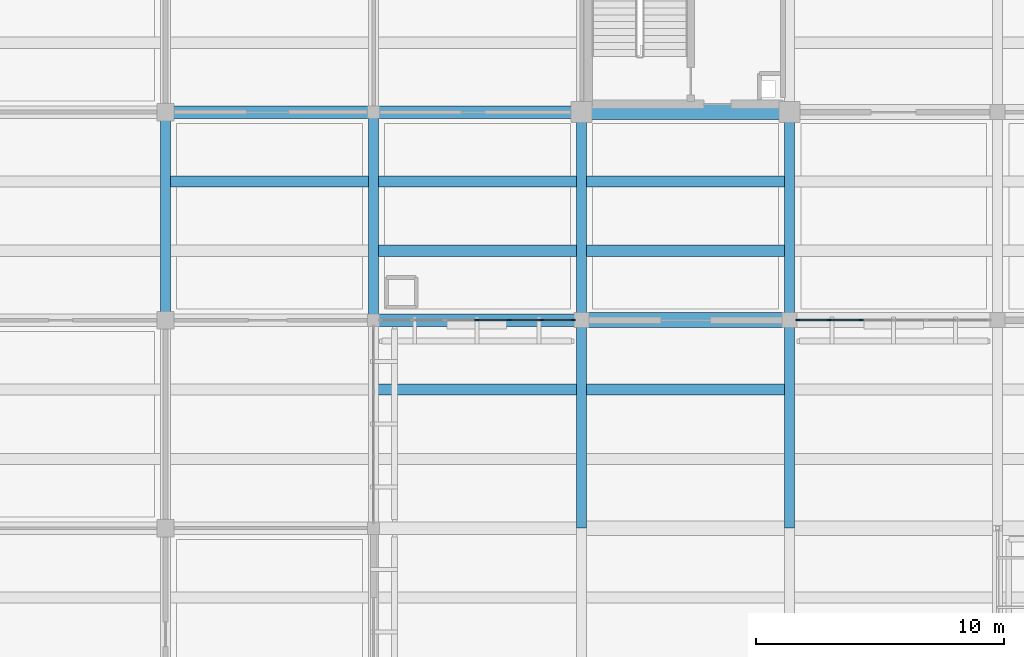
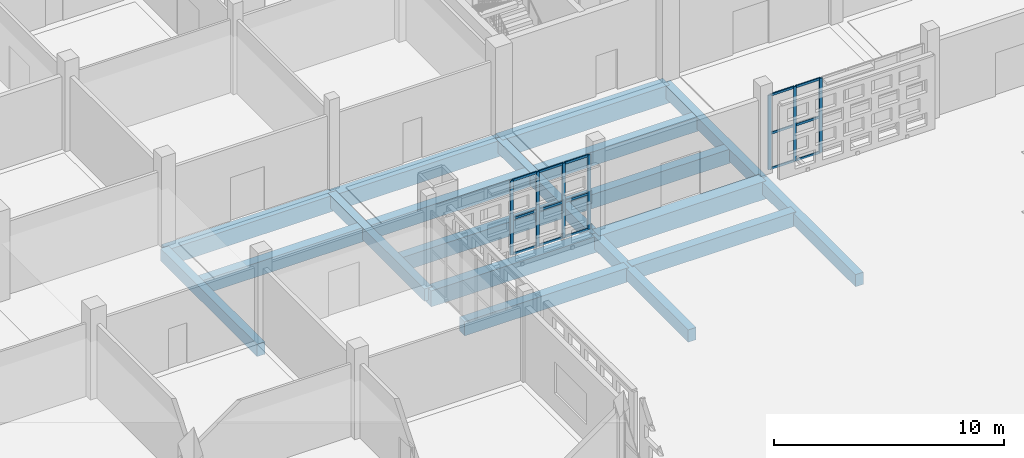
# One storey, part 22 of 129: 22 members, 18 beams, 2 elements without a shape of their own.
"""IFC4 building model written with IfcOpenShell, lengths in metres."""

import ifcopenshell
import ifcopenshell.guid

model = None  # the IFC model being written
_history = None  # IfcOwnerHistory: only IFC2X3 demands one
_inside = {}  # id of a spatial element -> (the spatial element, [elements in it])
_under = {}  # id of a project, library or spatial element -> (it, [spatial elements below it])
_declared = {}  # id of a project -> (the project, [libraries it declares])
_typed = {}  # id of a type object -> (the type object, [elements of that type])
_made_of = {}  # id of a material, layer set ... -> (it, [elements and type objects made of it])


def new_model(schema):
    """Start an empty IFC model of exactly this schema.

    Asked for "IFC4X3", IfcOpenShell would pick the latest addendum, in which some entities
    have other attributes; the version numbers below select the first issue.
    IFC2X3 requires an IfcOwnerHistory on every rooted entity: one is made here for all.
    """
    global model, _history
    if schema == "IFC4X3":
        model = ifcopenshell.file(schema_version=(4, 3, 0, 0))
    else:
        model = ifcopenshell.file(schema=schema)
    _inside.clear()
    _under.clear()
    _declared.clear()
    _typed.clear()
    _made_of.clear()
    _history = None
    if model.schema == "IFC2X3":
        org = make("IfcOrganization", Name="unknown")
        user = make(
            "IfcPersonAndOrganization",
            ThePerson=make("IfcPerson", FamilyName="unknown"),
            TheOrganization=org,
        )
        app = make(
            "IfcApplication",
            ApplicationDeveloper=org,
            Version="unknown",
            ApplicationFullName="unknown",
            ApplicationIdentifier="unknown",
        )
        _history = make(
            "IfcOwnerHistory",
            OwningUser=user,
            OwningApplication=app,
            ChangeAction="ADDED",
            CreationDate=0,
        )
    return model


def make(cls, **values):
    """One entity of the class cls with the attributes given. An attribute that is None is left unset."""
    return model.create_entity(
        cls, **{name: value for name, value in values.items() if value is not None}
    )


def rooted(cls, **values):
    """An entity with a GlobalId (a new one), such as an element, a storey or a relation."""
    return make(cls, GlobalId=ifcopenshell.guid.new(), OwnerHistory=_history, **values)


def si_unit(unit_type, name, prefix=None):
    """IfcSIUnit, for example si_unit("LENGTHUNIT", "METRE", prefix="MILLI")."""
    return make("IfcSIUnit", UnitType=unit_type, Prefix=prefix, Name=name)


def assignment(units):
    """IfcUnitAssignment: the units of a project."""
    return None if units is None else make("IfcUnitAssignment", Units=units)


def point(xyz):
    """IfcCartesianPoint."""
    return None if xyz is None else make("IfcCartesianPoint", Coordinates=xyz)


def direction(xyz):
    """IfcDirection."""
    return None if xyz is None else make("IfcDirection", DirectionRatios=xyz)


def frame(location, z_axis=None, x_axis=None):
    """IfcAxis2Placement3D, a coordinate frame: its origin and axes. An axis left out is left unset."""
    return make(
        "IfcAxis2Placement3D",
        Location=point(location),
        Axis=direction(z_axis),
        RefDirection=direction(x_axis),
    )


def frame_2d(location, x_axis=None):
    """IfcAxis2Placement2D, a coordinate frame in the plane: its origin and x axis."""
    return make(
        "IfcAxis2Placement2D", Location=point(location), RefDirection=direction(x_axis)
    )


def origin():
    """The frame at (0, 0, 0) with its axes left unset."""
    return frame((0.0, 0.0, 0.0))


def origin_2d():
    """The frame at (0, 0) in the plane with its x axis left unset."""
    return frame_2d((0.0, 0.0))


def place(relative_to, where):
    """IfcLocalPlacement: puts the frame where relative to a parent placement (None: the world)."""
    return make(
        "IfcLocalPlacement", PlacementRelTo=relative_to, RelativePlacement=where
    )


def context(
    kind, dimensions, precision=None, world=None, true_north=None, identifier=None
):
    """IfcGeometricRepresentationContext, for example the 3D "Model" context."""
    return make(
        "IfcGeometricRepresentationContext",
        ContextIdentifier=identifier,
        ContextType=kind,
        CoordinateSpaceDimension=dimensions,
        Precision=precision,
        WorldCoordinateSystem=world,
        TrueNorth=true_north,
    )


def subcontext(parent, identifier, kind, view, scale=None):
    """IfcGeometricRepresentationSubContext, for example "Body" below "Model"."""
    return make(
        "IfcGeometricRepresentationSubContext",
        ContextIdentifier=identifier,
        ContextType=kind,
        ParentContext=parent,
        TargetScale=scale,
        TargetView=view,
    )


def project(units=None, contexts=None):
    """IfcProject with its units and contexts."""
    return rooted(
        "IfcProject",
        Name="project",
        RepresentationContexts=contexts,
        UnitsInContext=assignment(units),
    )


def spatial(cls, under=None, at=None, **own):
    """A site, building, storey or space (cls), placed at a placement, below another one or the project."""
    s = rooted(cls, ObjectPlacement=at, **own)
    if under is not None:
        _under.setdefault(under.id(), (under, []))[1].append(s)
    return s


def profile(cls, at=None, kind="AREA", **sizes):
    """A parametric profile (cls). Its sizes go by their IFC names, for example OverallWidth=200.0."""
    return make(cls, ProfileType=kind, Position=at, **sizes)


def rectangle(**sizes):
    """IfcRectangleProfileDef."""
    return profile("IfcRectangleProfileDef", **sizes)


def extrude(swept, where, along, depth):
    """IfcExtrudedAreaSolid: the profile swept, set in the frame where, extruded along a direction by depth."""
    return make(
        "IfcExtrudedAreaSolid",
        SweptArea=swept,
        Position=where,
        ExtrudedDirection=direction(along),
        Depth=depth,
    )


def shape(context_of_items, identifier, shape_type, items):
    """IfcShapeRepresentation: the items that make up one representation, for example the "Body"."""
    return make(
        "IfcShapeRepresentation",
        ContextOfItems=context_of_items,
        RepresentationIdentifier=identifier,
        RepresentationType=shape_type,
        Items=items,
    )


def material(Name=None, Category=None):
    """IfcMaterial."""
    return make("IfcMaterial", Name=Name, Category=Category)


def layer(
    of_material, thickness, ventilated=None, Name=None, Category=None, Priority=None
):
    """IfcMaterialLayer: one layer of a wall or slab, of a material (None: an air gap)."""
    return make(
        "IfcMaterialLayer",
        Material=of_material,
        LayerThickness=thickness,
        IsVentilated=ventilated,
        Name=Name,
        Category=Category,
        Priority=Priority,
    )


def layer_set(layers, Name=None):
    """IfcMaterialLayerSet."""
    return make("IfcMaterialLayerSet", MaterialLayers=layers, LayerSetName=Name)


def material_profile(
    of_material, cross_section, Name=None, Category=None, Priority=None
):
    """IfcMaterialProfile: a cross section and its material."""
    return make(
        "IfcMaterialProfile",
        Name=Name,
        Material=of_material,
        Profile=cross_section,
        Priority=Priority,
        Category=Category,
    )


def profile_set(profiles, Name=None, composite=None):
    """IfcMaterialProfileSet."""
    return make(
        "IfcMaterialProfileSet",
        Name=Name,
        MaterialProfiles=profiles,
        CompositeProfile=composite,
    )


def made_of(thing, what):
    """Note that an element or type object is made of a material, layer set ...; save() writes the relation."""
    if what is not None:
        _made_of.setdefault(what.id(), (what, []))[1].append(thing)
    return thing


def type_object(cls, material=None, **own):
    """A type object (cls), such as IfcWallType, which elements share."""
    return made_of(rooted(cls, **own), material)


def element(
    cls,
    number,
    at=None,
    inside=None,
    cuts=None,
    type_object=None,
    material=None,
    context=None,
    identifier="Body",
    shape_type=None,
    held_by="IfcProductDefinitionShape",
    body=None,
    shapes=None,
    **own,
):
    """One element of the class cls, such as IfcWall. Its Tag is "e" and its number.

    at: its placement. inside: the storey or other place that contains it. cuts: it is an
    opening in that element (IfcRelVoidsElement). A single representation is given by context,
    identifier, shape_type and body (its items); several are given by shapes. held_by: the class
    of the entity that holds the representations. save() writes the other relations.
    """
    e = rooted(cls, Tag="e%d" % number, ObjectPlacement=at, **own)
    if body is not None:
        shapes = [shape(context, identifier, shape_type, body)]
    if shapes is not None:
        e.Representation = make(held_by, Representations=shapes)
    if inside is not None:
        _inside.setdefault(inside.id(), (inside, []))[1].append(e)
    if cuts is not None:
        rooted(
            "IfcRelVoidsElement", RelatingBuildingElement=cuts, RelatedOpeningElement=e
        )
    if type_object is not None:
        _typed.setdefault(type_object.id(), (type_object, []))[1].append(e)
    return made_of(e, material)


def aggregate(whole, parts):
    """IfcRelAggregates: a whole, such as a stair, and the parts it consists of."""
    return rooted("IfcRelAggregates", RelatingObject=whole, RelatedObjects=parts)


def save(model, path):
    """Write the relations noted so far, then the file.

    IfcRelAggregates (storeys below a building ...), IfcRelContainedInSpatialStructure (elements
    in a storey), IfcRelDefinesByType, IfcRelAssociatesMaterial and IfcRelDeclares: one each for
    every whole, place, type object, material and project.
    """
    for whole, parts in _under.values():
        aggregate(whole, parts)
    for where, things in _inside.values():
        rooted(
            "IfcRelContainedInSpatialStructure",
            RelatedElements=things,
            RelatingStructure=where,
        )
    for kind, things in _typed.values():
        rooted("IfcRelDefinesByType", RelatedObjects=things, RelatingType=kind)
    for what, things in _made_of.values():
        rooted("IfcRelAssociatesMaterial", RelatedObjects=things, RelatingMaterial=what)
    for by, libraries in _declared.values():
        rooted("IfcRelDeclares", RelatingContext=by, RelatedDefinitions=libraries)
    model.write(path)


model = new_model("IFC4")

# Units and contexts
model_context = context("Model", 3, precision=1e-05, world=origin(), true_north=direction((0.0, 1.0)))
body_context = subcontext(model_context, "Body", "Model", "MODEL_VIEW")
ifc_project = project(units=[si_unit("LENGTHUNIT", "METRE"), si_unit("AREAUNIT", "SQUARE_METRE"), si_unit("VOLUMEUNIT", "CUBIC_METRE"), si_unit("PLANEANGLEUNIT", "RADIAN"), si_unit("MASSUNIT", "GRAM", prefix="KILO")], contexts=[model_context])

# Site, building, storey
site_placement = place(None, origin())
site = spatial("IfcSite", under=ifc_project, at=site_placement, CompositionType="ELEMENT")
building_placement = place(site_placement, origin())
building = spatial("IfcBuilding", under=site, at=building_placement, Name="Varnapada Polytechnic", CompositionType="ELEMENT")
storey_placement = place(building_placement, origin())
storey = spatial("IfcBuildingStorey", under=building, at=storey_placement, Name="L00", CompositionType="ELEMENT", Elevation=0.0)

# Beams
ifc_material_1 = material(Name="Concrete C40/50", Category="concrete")
ifc_material_profile_1 = material_profile(ifc_material_1, rectangle(XDim=0.449951171875, YDim=0.75, at=origin_2d()), Name="RC 450x750")
ifc_profile_set_1 = profile_set([ifc_material_profile_1], Name="Concrete C40/50")
beam_type_1 = type_object("IfcBeamType", Name="Basement/podium secondary beam BB-01 (RC 450x750)", PredefinedType="BEAM", material=ifc_profile_set_1)
for number, where, z_axis, x_axis, name in (
    (1, (33.679931640625, 89.60009765625, -0.675048828125), (1.0, 0.0, 0.0), (0.0, 1.0, 0.0), "L00 floor joist 5/11.2"),
    (2, (42.080078125, 81.199951171875, -0.675048828125), (1.0, 0.0, 0.0), (0.0, 1.0, 0.0), "L00 floor joist 6/10.2"),
    (3, (42.080078125, 86.800048828125, -0.695068359375), (1.0, 0.0, 0.0), (0.0, 1.0, 0.0), "L00 floor joist 6/11.1"),
    (4, (42.080078125, 89.60009765625, -0.695068359375), (1.0, 0.0, 0.0), (0.0, 1.0, 0.0), "L00 floor joist 6/11.2"),
    (5, (50.47998046875, 81.199951171875, -0.655029296875), (1.0, 0.0, 0.0), (0.0, 1.0, 0.0), "L00 floor joist 7/10.2"),
    (6, (50.47998046875, 86.800048828125, -0.695068359375), (1.0, 0.0, 0.0), (0.0, 1.0, 0.0), "L00 floor joist 7/11.1"),
    (7, (50.47998046875, 89.60009765625, -0.695068359375), (1.0, 0.0, 0.0), (0.0, 1.0, 0.0), "L00 floor joist 7/11.2"),
):
    element("IfcBeam", number, at=place(storey_placement, frame(where, z_axis=z_axis, x_axis=x_axis)), inside=storey, type_object=beam_type_1, Name=name, PredefinedType="BEAM", context=body_context, shape_type="SweptSolid", body=[
        extrude(rectangle(XDim=0.449951171875, YDim=0.75, at=origin_2d()), origin(), (0.0, 0.0, 1.0), 8.239990234375),
    ])

# Curtain wall, members
ifc_material_2 = material(Name="Double low-E laminated glass", Category="glass")
ifc_layer = layer(ifc_material_2, 0.159912109375)
ifc_layer_set = layer_set([ifc_layer], Name="Double low-E laminated glass")
curtain_wall_type = type_object("IfcCurtainWallType", Name="Curtain Wall CW-01", PredefinedType="NOTDEFINED", material=ifc_layer_set)
curtain_wall_1_placement = place(storey_placement, origin())
curtain_wall_1 = element("IfcCurtainWall", 8, at=curtain_wall_1_placement, inside=storey, type_object=curtain_wall_type, Name="L00 unitised curtain wall CW-01 (5)", PredefinedType="NOTDEFINED")
ifc_material_3 = material(Name="Anodised aluminium", Category="aluminium")
ifc_material_profile_2 = material_profile(ifc_material_3, rectangle(XDim=0.06005859375, YDim=0.159912109375, at=origin_2d()), Name="ALU M60x160")
ifc_profile_set_2 = profile_set([ifc_material_profile_2], Name="Anodised aluminium")
member_type_1 = type_object("IfcMemberType", Name="Mullion M-01", PredefinedType="MULLION", material=ifc_profile_set_2)
member_1_placement = place(storey_placement, frame((50.070068359375, 84.0, 0.0), z_axis=(0.0, 0.0, 1.0), x_axis=(0.0, -1.0, 0.0)))
member_1 = element("IfcMember", 9, at=member_1_placement, type_object=member_type_1, Name="CW-01 mullion 1", PredefinedType="MULLION", context=body_context, shape_type="SweptSolid", body=[
    extrude(rectangle(XDim=0.06005859375, YDim=0.159912109375, at=origin_2d()), origin(), (0.0, 0.0, 1.0), 3.9599609375),
])
member_2_placement = place(storey_placement, frame((48.791748046875, 84.0, 0.0), z_axis=(0.0, 0.0, 1.0), x_axis=(0.0, -1.0, 0.0)))
member_2 = element("IfcMember", 10, at=member_2_placement, type_object=member_type_1, Name="CW-01 mullion 2", PredefinedType="MULLION", context=body_context, shape_type="SweptSolid", body=[
    extrude(rectangle(XDim=0.06005859375, YDim=0.159912109375, at=origin_2d()), origin(), (0.0, 0.0, 1.0), 3.9599609375),
])
member_3_placement = place(storey_placement, frame((47.4833984375, 84.0, 0.0), z_axis=(0.0, 0.0, 1.0), x_axis=(0.0, -1.0, 0.0)))
member_3 = element("IfcMember", 11, at=member_3_placement, type_object=member_type_1, Name="CW-01 mullion 3", PredefinedType="MULLION", context=body_context, shape_type="SweptSolid", body=[
    extrude(rectangle(XDim=0.06005859375, YDim=0.159912109375, at=origin_2d()), origin(), (0.0, 0.0, 1.0), 3.9599609375),
])
member_4_placement = place(storey_placement, frame((46.175048828125, 84.0, 0.0), z_axis=(0.0, 0.0, 1.0), x_axis=(0.0, -1.0, 0.0)))
member_4 = element("IfcMember", 12, at=member_4_placement, type_object=member_type_1, Name="CW-01 mullion 4", PredefinedType="MULLION", context=body_context, shape_type="SweptSolid", body=[
    extrude(rectangle(XDim=0.06005859375, YDim=0.159912109375, at=origin_2d()), origin(), (0.0, 0.0, 1.0), 3.9599609375),
])

curtain_wall_2_placement = place(storey_placement, origin())
curtain_wall_2 = element("IfcCurtainWall", 13, at=curtain_wall_2_placement, inside=storey, type_object=curtain_wall_type, Name="L00 unitised curtain wall CW-01 (7)", PredefinedType="NOTDEFINED")
member_5_placement = place(storey_placement, frame((61.699951171875, 84.0, 0.0), z_axis=(0.0, 0.0, 1.0), x_axis=(0.0, -1.0, 0.0)))
member_5 = element("IfcMember", 14, at=member_5_placement, type_object=member_type_1, Name="CW-01 mullion 5", PredefinedType="MULLION", context=body_context, shape_type="SweptSolid", body=[
    extrude(rectangle(XDim=0.06005859375, YDim=0.159912109375, at=origin_2d()), origin(), (0.0, 0.0, 1.0), 3.9599609375),
])
member_6_placement = place(storey_placement, frame((60.39990234375, 84.0, 0.0), z_axis=(0.0, 0.0, 1.0), x_axis=(0.0, -1.0, 0.0)))
member_6 = element("IfcMember", 15, at=member_6_placement, type_object=member_type_1, Name="CW-01 mullion 6", PredefinedType="MULLION", context=body_context, shape_type="SweptSolid", body=[
    extrude(rectangle(XDim=0.06005859375, YDim=0.159912109375, at=origin_2d()), origin(), (0.0, 0.0, 1.0), 3.9599609375),
])
member_7_placement = place(storey_placement, frame((59.1298828125, 84.0, 0.0), z_axis=(0.0, 0.0, 1.0), x_axis=(0.0, -1.0, 0.0)))
member_7 = element("IfcMember", 16, at=member_7_placement, type_object=member_type_1, Name="CW-01 mullion 7", PredefinedType="MULLION", context=body_context, shape_type="SweptSolid", body=[
    extrude(rectangle(XDim=0.06005859375, YDim=0.159912109375, at=origin_2d()), origin(), (0.0, 0.0, 1.0), 3.9599609375),
])

# Beams
ifc_material_profile_3 = material_profile(ifc_material_1, rectangle(XDim=0.39990234375, YDim=0.64990234375, at=origin_2d()), Name="RC 400x650")
ifc_profile_set_3 = profile_set([ifc_material_profile_3], Name="Concrete C40/50")
beam_type_2 = type_object("IfcBeamType", Name="Podium framing beam BB-02 (RC 400x650)", PredefinedType="BEAM", material=ifc_profile_set_3)
for number, where, z_axis, x_axis, name in (
    (17, (33.60009765625, 84.0, -0.625), (0.0, 1.0, 0.0), (-1.0, 0.0, 0.0), "L00 beam Y 11-12 at X5"),
    (18, (42.0, 84.0, -0.625), (0.0, 1.0, 0.0), (-1.0, 0.0, 0.0), "L00 beam Y 11-12 at X6"),
    (19, (50.39990234375, 75.60009765625, -0.64501953125), (0.0, 1.0, 0.0), (-1.0, 0.0, 0.0), "L00 beam Y 10-11 at X7"),
    (20, (50.39990234375, 84.0, -0.64501953125), (0.0, 1.0, 0.0), (-1.0, 0.0, 0.0), "L00 beam Y 11-12 at X7"),
    (21, (58.800048828125, 75.60009765625, -0.64501953125), (0.0, 1.0, 0.0), (-1.0, 0.0, 0.0), "L00 beam Y 10-11 at X8"),
    (22, (58.800048828125, 84.0, -0.64501953125), (0.0, 1.0, 0.0), (-1.0, 0.0, 0.0), "L00 beam Y 11-12 at X8"),
):
    element("IfcBeam", number, at=place(storey_placement, frame(where, z_axis=z_axis, x_axis=x_axis)), inside=storey, type_object=beam_type_2, Name=name, PredefinedType="BEAM", context=body_context, shape_type="SweptSolid", body=[
        extrude(rectangle(XDim=0.39990234375, YDim=0.64990234375, at=origin_2d()), origin(), (0.0, 0.0, 1.0), 8.39990234375),
    ])
ifc_material_profile_4 = material_profile(ifc_material_1, rectangle(XDim=0.5, YDim=0.85009765625, at=origin_2d()), Name="RC 500x850")
ifc_profile_set_4 = profile_set([ifc_material_profile_4], Name="Concrete C40/50")
beam_type_3 = type_object("IfcBeamType", Name="Standard podium primary girder BG-02 (RC 500x850)", PredefinedType="T_BEAM", material=ifc_profile_set_4)
for number, where, z_axis, x_axis, name in (
    (23, (33.60009765625, 92.39990234375, -0.72509765625), (1.0, 0.0, 0.0), (0.0, 1.0, 0.0), "L00 beam X 5-6 at Y12"),
    (24, (42.0, 84.0, -0.7451171875), (1.0, 0.0, 0.0), (0.0, 1.0, 0.0), "L00 beam X 6-7 at Y11"),
    (25, (42.0, 92.39990234375, -0.7451171875), (1.0, 0.0, 0.0), (0.0, 1.0, 0.0), "L00 beam X 6-7 at Y12"),
):
    element("IfcBeam", number, at=place(storey_placement, frame(where, z_axis=z_axis, x_axis=x_axis)), inside=storey, type_object=beam_type_3, Name=name, PredefinedType="T_BEAM", context=body_context, shape_type="SweptSolid", body=[
        extrude(rectangle(XDim=0.5, YDim=0.85009765625, at=origin_2d()), origin(), (0.0, 0.0, 1.0), 8.39990234375),
    ])

# Member
ifc_material_profile_5 = material_profile(ifc_material_3, rectangle(XDim=0.06005859375, YDim=0.1201171875, at=origin_2d()), Name="ALU T60x120")
ifc_profile_set_5 = profile_set([ifc_material_profile_5], Name="Anodised aluminium")
member_type_2 = type_object("IfcMemberType", Name="Transom T-01", PredefinedType="USERDEFINED", material=ifc_profile_set_5)
member_8_placement = place(storey_placement, frame((50.0400390625, 84.0, 0.030029296875), z_axis=(-1.0, 0.0, 0.0), x_axis=(0.0, -1.0, 0.0)))
member_8 = element("IfcMember", 26, at=member_8_placement, type_object=member_type_2, Name="CW-01 transom 1.1", ObjectType="TRANSOM", PredefinedType="USERDEFINED", context=body_context, shape_type="SweptSolid", body=[
    extrude(rectangle(XDim=0.06005859375, YDim=0.1201171875, at=origin_2d()), origin(), (0.0, 0.0, 1.0), 1.21826171875),
])

member_9_placement = place(storey_placement, frame((50.0400390625, 84.0, 1.90087890625), z_axis=(-1.0, 0.0, 0.0), x_axis=(0.0, -1.0, 0.0)))
member_9 = element("IfcMember", 27, at=member_9_placement, type_object=member_type_2, Name="CW-01 transom 1.2", ObjectType="TRANSOM", PredefinedType="USERDEFINED", context=body_context, shape_type="SweptSolid", body=[
    extrude(rectangle(XDim=0.06005859375, YDim=0.1201171875, at=origin_2d()), origin(), (0.0, 0.0, 1.0), 1.21826171875),
])

member_10_placement = place(storey_placement, frame((50.0400390625, 84.0, 3.929931640625), z_axis=(-1.0, 0.0, 0.0), x_axis=(0.0, -1.0, 0.0)))
member_10 = element("IfcMember", 28, at=member_10_placement, type_object=member_type_2, Name="CW-01 transom 1.3", ObjectType="TRANSOM", PredefinedType="USERDEFINED", context=body_context, shape_type="SweptSolid", body=[
    extrude(rectangle(XDim=0.06005859375, YDim=0.1201171875, at=origin_2d()), origin(), (0.0, 0.0, 1.0), 1.21826171875),
])

member_11_placement = place(storey_placement, frame((48.76171875, 84.0, 0.030029296875), z_axis=(-1.0, 0.0, 0.0), x_axis=(0.0, -1.0, 0.0)))
member_11 = element("IfcMember", 29, at=member_11_placement, type_object=member_type_2, Name="CW-01 transom 2.1", ObjectType="TRANSOM", PredefinedType="USERDEFINED", context=body_context, shape_type="SweptSolid", body=[
    extrude(rectangle(XDim=0.06005859375, YDim=0.1201171875, at=origin_2d()), origin(), (0.0, 0.0, 1.0), 1.248291015625),
])

member_12_placement = place(storey_placement, frame((48.76171875, 84.0, 1.90087890625), z_axis=(-1.0, 0.0, 0.0), x_axis=(0.0, -1.0, 0.0)))
member_12 = element("IfcMember", 30, at=member_12_placement, type_object=member_type_2, Name="CW-01 transom 2.2", ObjectType="TRANSOM", PredefinedType="USERDEFINED", context=body_context, shape_type="SweptSolid", body=[
    extrude(rectangle(XDim=0.06005859375, YDim=0.1201171875, at=origin_2d()), origin(), (0.0, 0.0, 1.0), 1.248291015625),
])

member_13_placement = place(storey_placement, frame((48.76171875, 84.0, 3.929931640625), z_axis=(-1.0, 0.0, 0.0), x_axis=(0.0, -1.0, 0.0)))
member_13 = element("IfcMember", 31, at=member_13_placement, type_object=member_type_2, Name="CW-01 transom 2.3", ObjectType="TRANSOM", PredefinedType="USERDEFINED", context=body_context, shape_type="SweptSolid", body=[
    extrude(rectangle(XDim=0.06005859375, YDim=0.1201171875, at=origin_2d()), origin(), (0.0, 0.0, 1.0), 1.248291015625),
])

member_14_placement = place(storey_placement, frame((47.453369140625, 84.0, 0.030029296875), z_axis=(-1.0, 0.0, 0.0), x_axis=(0.0, -1.0, 0.0)))
member_14 = element("IfcMember", 32, at=member_14_placement, type_object=member_type_2, Name="CW-01 transom 3.1", ObjectType="TRANSOM", PredefinedType="USERDEFINED", context=body_context, shape_type="SweptSolid", body=[
    extrude(rectangle(XDim=0.06005859375, YDim=0.1201171875, at=origin_2d()), origin(), (0.0, 0.0, 1.0), 1.248291015625),
])

member_15_placement = place(storey_placement, frame((47.453369140625, 84.0, 1.90087890625), z_axis=(-1.0, 0.0, 0.0), x_axis=(0.0, -1.0, 0.0)))
member_15 = element("IfcMember", 33, at=member_15_placement, type_object=member_type_2, Name="CW-01 transom 3.2", ObjectType="TRANSOM", PredefinedType="USERDEFINED", context=body_context, shape_type="SweptSolid", body=[
    extrude(rectangle(XDim=0.06005859375, YDim=0.1201171875, at=origin_2d()), origin(), (0.0, 0.0, 1.0), 1.248291015625),
])

member_16_placement = place(storey_placement, frame((47.453369140625, 84.0, 3.929931640625), z_axis=(-1.0, 0.0, 0.0), x_axis=(0.0, -1.0, 0.0)))
member_16 = element("IfcMember", 34, at=member_16_placement, type_object=member_type_2, Name="CW-01 transom 3.3", ObjectType="TRANSOM", PredefinedType="USERDEFINED", context=body_context, shape_type="SweptSolid", body=[
    extrude(rectangle(XDim=0.06005859375, YDim=0.1201171875, at=origin_2d()), origin(), (0.0, 0.0, 1.0), 1.248291015625),
])

aggregate(curtain_wall_1, [member_1, member_2, member_3, member_4, member_8, member_9, member_10, member_11, member_12, member_13, member_14, member_15, member_16])

member_17_placement = place(storey_placement, frame((61.669921875, 84.0, 0.030029296875), z_axis=(-1.0, 0.0, 0.0), x_axis=(0.0, -1.0, 0.0)))
member_17 = element("IfcMember", 35, at=member_17_placement, type_object=member_type_2, Name="CW-01 transom 5.1", ObjectType="TRANSOM", PredefinedType="USERDEFINED", context=body_context, shape_type="SweptSolid", body=[
    extrude(rectangle(XDim=0.06005859375, YDim=0.1201171875, at=origin_2d()), origin(), (0.0, 0.0, 1.0), 1.239990234375),
])

member_18_placement = place(storey_placement, frame((61.669921875, 84.0, 1.90087890625), z_axis=(-1.0, 0.0, 0.0), x_axis=(0.0, -1.0, 0.0)))
member_18 = element("IfcMember", 36, at=member_18_placement, type_object=member_type_2, Name="CW-01 transom 5.2", ObjectType="TRANSOM", PredefinedType="USERDEFINED", context=body_context, shape_type="SweptSolid", body=[
    extrude(rectangle(XDim=0.06005859375, YDim=0.1201171875, at=origin_2d()), origin(), (0.0, 0.0, 1.0), 1.239990234375),
])

member_19_placement = place(storey_placement, frame((61.669921875, 84.0, 3.929931640625), z_axis=(-1.0, 0.0, 0.0), x_axis=(0.0, -1.0, 0.0)))
member_19 = element("IfcMember", 37, at=member_19_placement, type_object=member_type_2, Name="CW-01 transom 5.3", ObjectType="TRANSOM", PredefinedType="USERDEFINED", context=body_context, shape_type="SweptSolid", body=[
    extrude(rectangle(XDim=0.06005859375, YDim=0.1201171875, at=origin_2d()), origin(), (0.0, 0.0, 1.0), 1.239990234375),
])

member_20_placement = place(storey_placement, frame((60.3701171875, 84.0, 0.030029296875), z_axis=(-1.0, 0.0, 0.0), x_axis=(0.0, -1.0, 0.0)))
member_20 = element("IfcMember", 38, at=member_20_placement, type_object=member_type_2, Name="CW-01 transom 6.1", ObjectType="TRANSOM", PredefinedType="USERDEFINED", context=body_context, shape_type="SweptSolid", body=[
    extrude(rectangle(XDim=0.06005859375, YDim=0.1201171875, at=origin_2d()), origin(), (0.0, 0.0, 1.0), 1.210205078125),
])

member_21_placement = place(storey_placement, frame((60.3701171875, 84.0, 1.90087890625), z_axis=(-1.0, 0.0, 0.0), x_axis=(0.0, -1.0, 0.0)))
member_21 = element("IfcMember", 39, at=member_21_placement, type_object=member_type_2, Name="CW-01 transom 6.2", ObjectType="TRANSOM", PredefinedType="USERDEFINED", context=body_context, shape_type="SweptSolid", body=[
    extrude(rectangle(XDim=0.06005859375, YDim=0.1201171875, at=origin_2d()), origin(), (0.0, 0.0, 1.0), 1.210205078125),
])

member_22_placement = place(storey_placement, frame((60.3701171875, 84.0, 3.929931640625), z_axis=(-1.0, 0.0, 0.0), x_axis=(0.0, -1.0, 0.0)))
member_22 = element("IfcMember", 40, at=member_22_placement, type_object=member_type_2, Name="CW-01 transom 6.3", ObjectType="TRANSOM", PredefinedType="USERDEFINED", context=body_context, shape_type="SweptSolid", body=[
    extrude(rectangle(XDim=0.06005859375, YDim=0.1201171875, at=origin_2d()), origin(), (0.0, 0.0, 1.0), 1.210205078125),
])

aggregate(curtain_wall_2, [member_5, member_6, member_7, member_17, member_18, member_19, member_20, member_21, member_22])

# Beams
ifc_material_profile_6 = material_profile(ifc_material_1, rectangle(XDim=0.60009765625, YDim=0.949951171875, at=origin_2d()), Name="RC 600x950")
ifc_profile_set_6 = profile_set([ifc_material_profile_6], Name="Concrete C40/50")
beam_type_4 = type_object("IfcBeamType", Name="Workshop podium heavy girder BG-03 (RC 600x950)", PredefinedType="T_BEAM", material=ifc_profile_set_6)
for number, where, z_axis, x_axis, name in (
    (41, (50.39990234375, 84.0, -0.794921875), (1.0, 0.0, 0.0), (0.0, 1.0, 0.0), "L00 beam X 7-8 at Y11"),
    (42, (50.39990234375, 92.39990234375, -0.794921875), (1.0, 0.0, 0.0), (0.0, 1.0, 0.0), "L00 beam X 7-8 at Y12"),
):
    element("IfcBeam", number, at=place(storey_placement, frame(where, z_axis=z_axis, x_axis=x_axis)), inside=storey, type_object=beam_type_4, Name=name, PredefinedType="T_BEAM", context=body_context, shape_type="SweptSolid", body=[
        extrude(rectangle(XDim=0.60009765625, YDim=0.949951171875, at=origin_2d()), origin(), (0.0, 0.0, 1.0), 8.400146484375),
    ])

save(model, "model.ifc")
